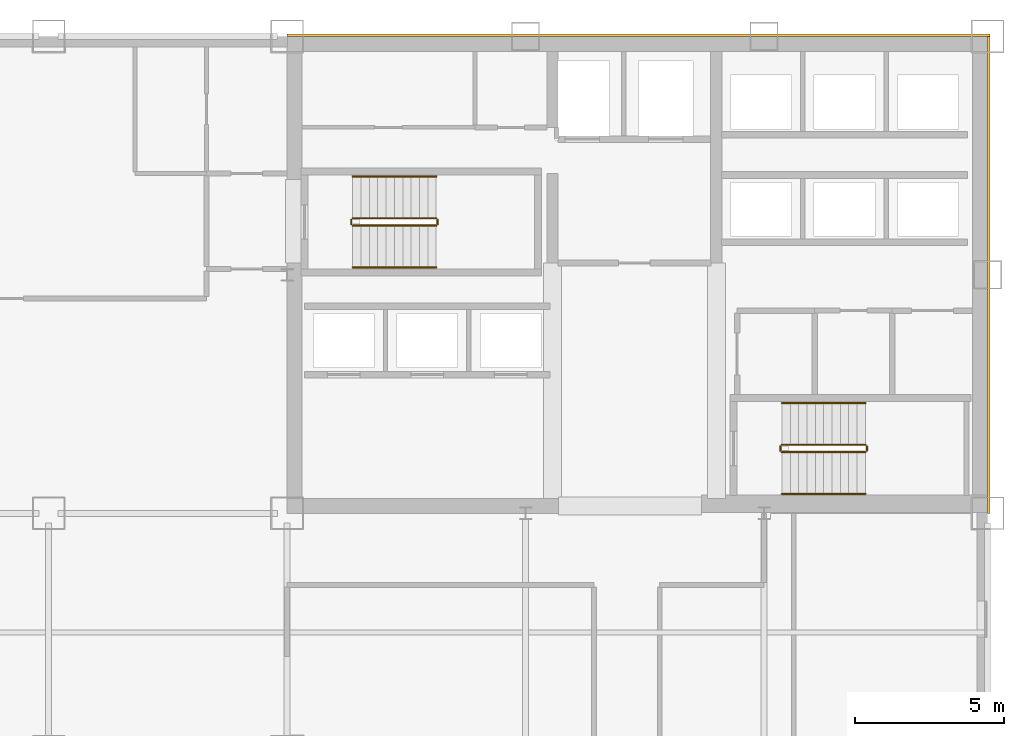
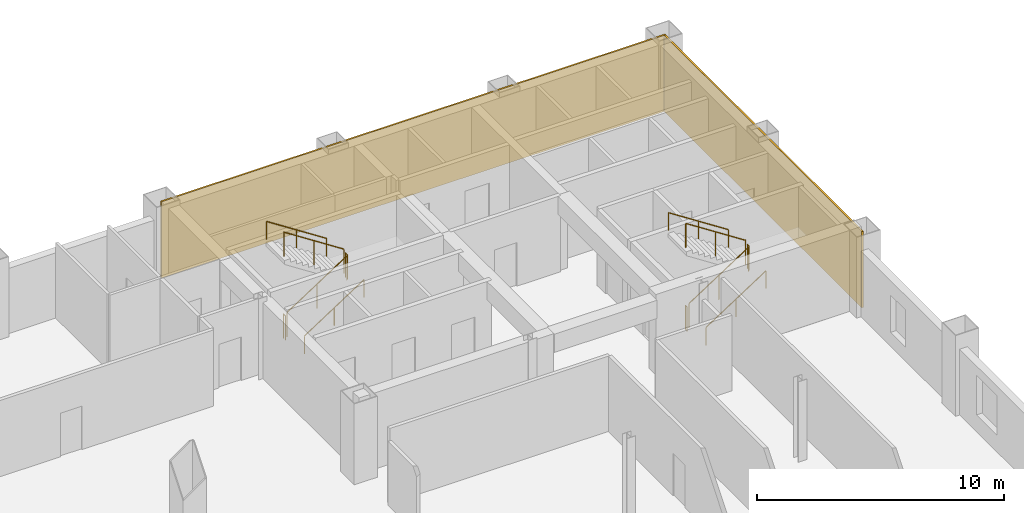
# One storey, part 10 of 10: 12 railings, 2 coverings.
"""IFC4 building model written with IfcOpenShell, lengths in metres."""

from ifc_helpers import new_model, si_unit, direction, frame, origin, origin_2d, place, context, subcontext, project, spatial, rectangle, circle, extrude, material, layer, layer_set, type_object, element, save


model = new_model("IFC4")

# Units and contexts
model_context = context("Model", 3, precision=1e-05, world=origin(), true_north=direction((0.0, 1.0)))
body_context = subcontext(model_context, "Body", "Model", "MODEL_VIEW")
ifc_project = project(units=[si_unit("LENGTHUNIT", "METRE"), si_unit("AREAUNIT", "SQUARE_METRE"), si_unit("VOLUMEUNIT", "CUBIC_METRE"), si_unit("PLANEANGLEUNIT", "RADIAN"), si_unit("MASSUNIT", "GRAM", prefix="KILO")], contexts=[model_context])

# Site, building, storey
site_placement = place(None, origin())
site = spatial("IfcSite", under=ifc_project, at=site_placement, CompositionType="ELEMENT")
building_placement = place(site_placement, origin())
building = spatial("IfcBuilding", under=site, at=building_placement, Name="Qianrong Seaharbour Tower", CompositionType="ELEMENT")
storey_placement = place(building_placement, frame((0.0, 0.0, 159.0)))
storey = spatial("IfcBuildingStorey", under=building, at=storey_placement, Name="L38", CompositionType="ELEMENT", Elevation=159.0)

# Coverings
ifc_material_1 = material(Name="Unitised red brick cladding on Precast concrete C45/55", Category="masonry")
ifc_layer = layer(ifc_material_1, 0.080078125)
ifc_layer_set = layer_set([ifc_layer], Name="Unitised red brick cladding on Precast concrete C45/55")
covering_type = type_object("IfcCoveringType", Name="COV-CLAD-RED-BRICK-80", PredefinedType="CLADDING", material=ifc_layer_set)
covering_1_placement = place(storey_placement, frame((52.2900390625, 52.0400390625, 0.0), z_axis=(0.0, 0.0, 1.0), x_axis=(1.0, 0.0, 0.0)))
element("IfcCovering", 1, at=covering_1_placement, inside=storey, type_object=covering_type, Name="L38 North Core Brick Veneer Cladding", PredefinedType="CLADDING", context=body_context, shape_type="SweptSolid", body=[
    extrude(rectangle(XDim=23.580078125, YDim=0.080078125, at=origin_2d()), origin(), (0.0, 0.0, 1.0), 3.764892578125),
])
covering_2_placement = place(storey_placement, frame((64.0400390625, 44.0, 0.0), z_axis=(0.0, 0.0, 1.0), x_axis=(1.0, 0.0, 0.0)))
element("IfcCovering", 2, at=covering_2_placement, inside=storey, type_object=covering_type, Name="L38 East Core Brick Veneer Cladding", PredefinedType="CLADDING", context=body_context, shape_type="SweptSolid", body=[
    extrude(rectangle(XDim=0.080078125, YDim=16.0, at=origin_2d()), origin(), (0.0, 0.0, 1.0), 3.764892578125),
])

# Railings
ifc_material_2 = material(Name="Galvanized painted steel SN400B stair guard", Category="steel")
railing_type_1 = type_object("IfcRailingType", Name="RAIL-STAIR-GUARD-1220", PredefinedType="GUARDRAIL", material=ifc_material_2)
railing_1_placement = place(storey_placement, frame((42.699951171875, 45.64990234375, 0.181884765625)))
element("IfcRailing", 3, at=railing_1_placement, inside=storey, type_object=railing_type_1, Name="L38 ST-1 stair guard 1", PredefinedType="GUARDRAIL", context=body_context, shape_type="SweptSolid", body=[
    extrude(circle(Radius=0.02392578125, at=origin_2d()), frame((0.0, 0.0, 1.19580078125), z_axis=(0.838705829183, 0.0, 0.544584733623), x_axis=(0.0, 1.0, 0.0)), (0.0, 0.0, 1.0), 3.338623046875),
    extrude(circle(Radius=0.02099609375, at=origin_2d()), origin(), (0.0, 0.0, 1.0), 1.171875),
    extrude(circle(Radius=0.02099609375, at=origin_2d()), frame((1.39990234375, 0.0, 0.9091796875)), (0.0, 0.0, 1.0), 1.171875),
    extrude(circle(Radius=0.02099609375, at=origin_2d()), frame((2.800048828125, 0.0, 1.818115234375)), (0.0, 0.0, 1.0), 1.171875),
])
railing_2_placement = place(storey_placement, frame((45.550048828125, 45.699951171875, 2.0)))
element("IfcRailing", 4, at=railing_2_placement, inside=storey, type_object=railing_type_1, Name="L38 ST-1 stair guard 2", PredefinedType="GUARDRAIL", context=body_context, shape_type="SweptSolid", body=[
    extrude(circle(Radius=0.02392578125, at=origin_2d()), frame((0.0, 0.0, 1.19580078125), z_axis=(0.0, 1.0, 0.0), x_axis=(-1.0, 0.0, 0.0)), (0.0, 0.0, 1.0), 0.150146484375),
    extrude(circle(Radius=0.02099609375, at=origin_2d()), origin(), (0.0, 0.0, 1.0), 1.171875),
    extrude(circle(Radius=0.02099609375, at=origin_2d()), frame((0.0, 0.150146484375, 0.0)), (0.0, 0.0, 1.0), 1.171875),
])
railing_3_placement = place(storey_placement, frame((45.5, 45.89990234375, 2.181884765625)))
element("IfcRailing", 5, at=railing_3_placement, inside=storey, type_object=railing_type_1, Name="L38 ST-1 stair guard 3", PredefinedType="GUARDRAIL", context=body_context, shape_type="SweptSolid", body=[
    extrude(circle(Radius=0.02392578125, at=origin_2d()), frame((0.0, 0.0, 1.19580078125), z_axis=(-0.838705829183, 0.0, 0.544584733623), x_axis=(0.0, -1.0, 0.0)), (0.0, 0.0, 1.0), 3.338623046875),
    extrude(circle(Radius=0.02099609375, at=origin_2d()), origin(), (0.0, 0.0, 1.0), 1.171875),
    extrude(circle(Radius=0.02099609375, at=origin_2d()), frame((-1.39990234375, 0.0, 0.9091796875)), (0.0, 0.0, 1.0), 1.171875),
    extrude(circle(Radius=0.02099609375, at=origin_2d()), frame((-2.800048828125, 0.0, 1.818115234375)), (0.0, 0.0, 1.0), 1.171875),
])
railing_4_placement = place(storey_placement, frame((42.64990234375, 45.699951171875, 0.0)))
element("IfcRailing", 6, at=railing_4_placement, inside=storey, type_object=railing_type_1, Name="L38 ST-1 stair guard 4", PredefinedType="GUARDRAIL", context=body_context, shape_type="SweptSolid", body=[
    extrude(circle(Radius=0.02392578125, at=origin_2d()), frame((0.0, 0.0, 1.19580078125), z_axis=(0.0, 1.0, 0.0), x_axis=(-1.0, 0.0, 0.0)), (0.0, 0.0, 1.0), 0.150146484375),
    extrude(circle(Radius=0.02099609375, at=origin_2d()), origin(), (0.0, 0.0, 1.0), 1.171875),
    extrude(circle(Radius=0.02099609375, at=origin_2d()), frame((0.0, 0.150146484375, 0.0)), (0.0, 0.0, 1.0), 1.171875),
])
railing_5_placement = place(storey_placement, frame((57.10009765625, 38.050048828125, 0.181884765625)))
element("IfcRailing", 7, at=railing_5_placement, inside=storey, type_object=railing_type_1, Name="L38 ST-2 stair guard 1", PredefinedType="GUARDRAIL", context=body_context, shape_type="SweptSolid", body=[
    extrude(circle(Radius=0.02392578125, at=origin_2d()), frame((0.0, 0.0, 1.19580078125), z_axis=(0.83868413941, 0.0, 0.544618136222), x_axis=(0.0, 1.0, 0.0)), (0.0, 0.0, 1.0), 3.33837890625),
    extrude(circle(Radius=0.02099609375, at=origin_2d()), origin(), (0.0, 0.0, 1.0), 1.171875),
    extrude(circle(Radius=0.02099609375, at=origin_2d()), frame((1.39990234375, 0.0, 0.9091796875)), (0.0, 0.0, 1.0), 1.171875),
    extrude(circle(Radius=0.02099609375, at=origin_2d()), frame((2.7998046875, 0.0, 1.818115234375)), (0.0, 0.0, 1.0), 1.171875),
])
railing_6_placement = place(storey_placement, frame((59.949951171875, 38.10009765625, 2.0)))
element("IfcRailing", 8, at=railing_6_placement, inside=storey, type_object=railing_type_1, Name="L38 ST-2 stair guard 2", PredefinedType="GUARDRAIL", context=body_context, shape_type="SweptSolid", body=[
    extrude(circle(Radius=0.02392578125, at=origin_2d()), frame((0.0, 0.0, 1.19580078125), z_axis=(0.0, 1.0, 0.0), x_axis=(-1.0, 0.0, 0.0)), (0.0, 0.0, 1.0), 0.14990234375),
    extrude(circle(Radius=0.02099609375, at=origin_2d()), origin(), (0.0, 0.0, 1.0), 1.171875),
    extrude(circle(Radius=0.02099609375, at=origin_2d()), frame((0.0, 0.14990234375, 0.0)), (0.0, 0.0, 1.0), 1.171875),
])
railing_7_placement = place(storey_placement, frame((59.89990234375, 38.300048828125, 2.181884765625)))
element("IfcRailing", 9, at=railing_7_placement, inside=storey, type_object=railing_type_1, Name="L38 ST-2 stair guard 3", PredefinedType="GUARDRAIL", context=body_context, shape_type="SweptSolid", body=[
    extrude(circle(Radius=0.02392578125, at=origin_2d()), frame((0.0, 0.0, 1.19580078125), z_axis=(-0.83868413941, 0.0, 0.544618136222), x_axis=(0.0, -1.0, 0.0)), (0.0, 0.0, 1.0), 3.33837890625),
    extrude(circle(Radius=0.02099609375, at=origin_2d()), origin(), (0.0, 0.0, 1.0), 1.171875),
    extrude(circle(Radius=0.02099609375, at=origin_2d()), frame((-1.39990234375, 0.0, 0.9091796875)), (0.0, 0.0, 1.0), 1.171875),
    extrude(circle(Radius=0.02099609375, at=origin_2d()), frame((-2.7998046875, 0.0, 1.818115234375)), (0.0, 0.0, 1.0), 1.171875),
])
railing_8_placement = place(storey_placement, frame((57.050048828125, 38.10009765625, 0.0)))
element("IfcRailing", 10, at=railing_8_placement, inside=storey, type_object=railing_type_1, Name="L38 ST-2 stair guard 4", PredefinedType="GUARDRAIL", context=body_context, shape_type="SweptSolid", body=[
    extrude(circle(Radius=0.02392578125, at=origin_2d()), frame((0.0, 0.0, 1.19580078125), z_axis=(0.0, 1.0, 0.0), x_axis=(-1.0, 0.0, 0.0)), (0.0, 0.0, 1.0), 0.14990234375),
    extrude(circle(Radius=0.02099609375, at=origin_2d()), origin(), (0.0, 0.0, 1.0), 1.171875),
    extrude(circle(Radius=0.02099609375, at=origin_2d()), frame((0.0, 0.14990234375, 0.0)), (0.0, 0.0, 1.0), 1.171875),
])
ifc_material_3 = material(Name="Stainless steel SUS316L continuous handrail", Category="steel")
railing_type_2 = type_object("IfcRailingType", Name="RAIL-STAIR-HANDRAIL-900", PredefinedType="HANDRAIL", material=ifc_material_3)
railing_9_placement = place(storey_placement, frame((42.699951171875, 44.25, 0.181884765625)))
element("IfcRailing", 11, at=railing_9_placement, inside=storey, type_object=railing_type_2, Name="L38 ST-1 stair handrail 1", PredefinedType="HANDRAIL", context=body_context, shape_type="SweptSolid", body=[
    extrude(circle(Radius=0.02392578125, at=origin_2d()), frame((0.0, 0.0, 0.8759765625), z_axis=(0.838705829183, 0.0, 0.544584733623), x_axis=(0.0, 1.0, 0.0)), (0.0, 0.0, 1.0), 3.338623046875),
    extrude(circle(Radius=0.02099609375, at=origin_2d()), origin(), (0.0, 0.0, 1.0), 0.851806640625),
    extrude(circle(Radius=0.02099609375, at=origin_2d()), frame((1.39990234375, 0.0, 0.9091796875)), (0.0, 0.0, 1.0), 0.851806640625),
    extrude(circle(Radius=0.02099609375, at=origin_2d()), frame((2.800048828125, 0.0, 1.818115234375)), (0.0, 0.0, 1.0), 0.851806640625),
])
railing_10_placement = place(storey_placement, frame((45.5, 47.300048828125, 2.181884765625)))
element("IfcRailing", 12, at=railing_10_placement, inside=storey, type_object=railing_type_2, Name="L38 ST-1 stair handrail 2", PredefinedType="HANDRAIL", context=body_context, shape_type="SweptSolid", body=[
    extrude(circle(Radius=0.02392578125, at=origin_2d()), frame((0.0, 0.0, 0.8759765625), z_axis=(-0.838705829183, 0.0, 0.544584733623), x_axis=(0.0, -1.0, 0.0)), (0.0, 0.0, 1.0), 3.338623046875),
    extrude(circle(Radius=0.02099609375, at=origin_2d()), origin(), (0.0, 0.0, 1.0), 0.851806640625),
    extrude(circle(Radius=0.02099609375, at=origin_2d()), frame((-1.39990234375, 0.0, 0.9091796875)), (0.0, 0.0, 1.0), 0.851806640625),
    extrude(circle(Radius=0.02099609375, at=origin_2d()), frame((-2.800048828125, 0.0, 1.818115234375)), (0.0, 0.0, 1.0), 0.851806640625),
])
railing_11_placement = place(storey_placement, frame((57.10009765625, 36.64990234375, 0.181884765625)))
element("IfcRailing", 13, at=railing_11_placement, inside=storey, type_object=railing_type_2, Name="L38 ST-2 stair handrail 1", PredefinedType="HANDRAIL", context=body_context, shape_type="SweptSolid", body=[
    extrude(circle(Radius=0.02392578125, at=origin_2d()), frame((0.0, 0.0, 0.8759765625), z_axis=(0.83868413941, 0.0, 0.544618136222), x_axis=(0.0, 1.0, 0.0)), (0.0, 0.0, 1.0), 3.33837890625),
    extrude(circle(Radius=0.02099609375, at=origin_2d()), origin(), (0.0, 0.0, 1.0), 0.851806640625),
    extrude(circle(Radius=0.02099609375, at=origin_2d()), frame((1.39990234375, 0.0, 0.9091796875)), (0.0, 0.0, 1.0), 0.851806640625),
    extrude(circle(Radius=0.02099609375, at=origin_2d()), frame((2.7998046875, 0.0, 1.818115234375)), (0.0, 0.0, 1.0), 0.851806640625),
])
railing_12_placement = place(storey_placement, frame((59.89990234375, 39.699951171875, 2.181884765625)))
element("IfcRailing", 14, at=railing_12_placement, inside=storey, type_object=railing_type_2, Name="L38 ST-2 stair handrail 2", PredefinedType="HANDRAIL", context=body_context, shape_type="SweptSolid", body=[
    extrude(circle(Radius=0.02392578125, at=origin_2d()), frame((0.0, 0.0, 0.8759765625), z_axis=(-0.83868413941, 0.0, 0.544618136222), x_axis=(0.0, -1.0, 0.0)), (0.0, 0.0, 1.0), 3.33837890625),
    extrude(circle(Radius=0.02099609375, at=origin_2d()), origin(), (0.0, 0.0, 1.0), 0.851806640625),
    extrude(circle(Radius=0.02099609375, at=origin_2d()), frame((-1.39990234375, 0.0, 0.9091796875)), (0.0, 0.0, 1.0), 0.851806640625),
    extrude(circle(Radius=0.02099609375, at=origin_2d()), frame((-2.7998046875, 0.0, 1.818115234375)), (0.0, 0.0, 1.0), 0.851806640625),
])

save(model, "model.ifc")
